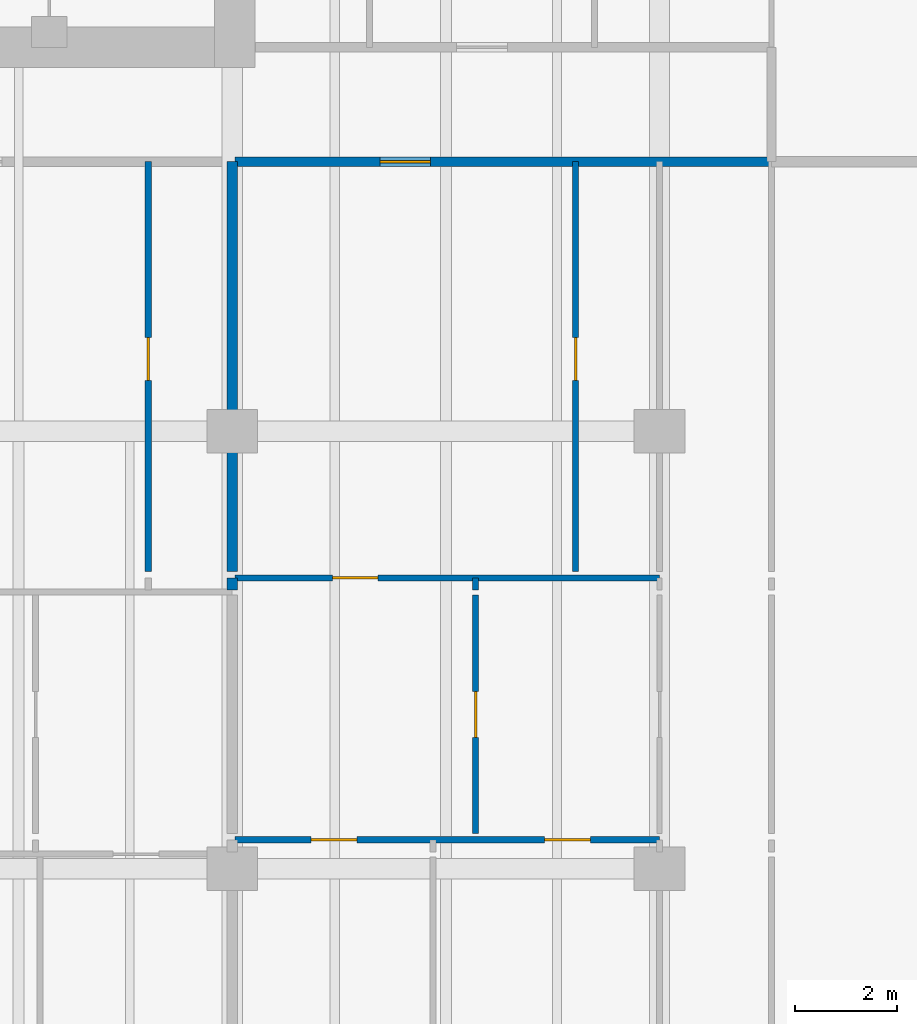
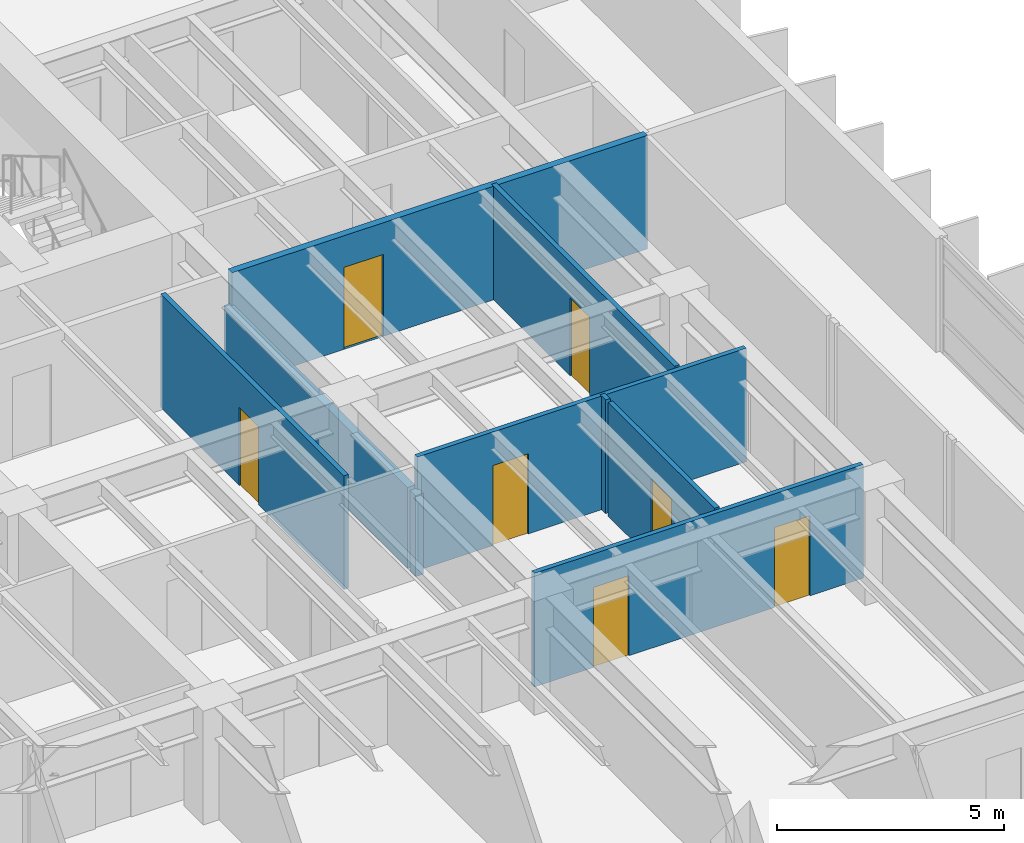
# One storey, part 10 of 18: 9 walls, 7 doors, 7 openings.
"""IFC4 building model written with IfcOpenShell, lengths in metres."""

from ifc_helpers import new_model, si_unit, direction, frame, frame_2d, origin, place, context, subcontext, project, spatial, rectangle, extrude, material, layer, layer_set, type_object, element, fill, save


model = new_model("IFC4")

# Units and contexts
model_context = context("Model", 3, precision=1e-05, world=origin(), true_north=direction((0.0, 1.0)))
body_context = subcontext(model_context, "Body", "Model", "MODEL_VIEW")
ifc_project = project(units=[si_unit("LENGTHUNIT", "METRE"), si_unit("AREAUNIT", "SQUARE_METRE"), si_unit("VOLUMEUNIT", "CUBIC_METRE"), si_unit("PLANEANGLEUNIT", "RADIAN"), si_unit("MASSUNIT", "GRAM", prefix="KILO")], contexts=[model_context])

# Site, building, storey
site_placement = place(None, origin())
site = spatial("IfcSite", under=ifc_project, at=site_placement, CompositionType="ELEMENT")
building_placement = place(site_placement, origin())
building = spatial("IfcBuilding", under=site, at=building_placement, Name="Caelmar Bay Residences", CompositionType="ELEMENT")
storey_placement = place(building_placement, frame((0.0, 0.0, 122.39990234375)))
storey = spatial("IfcBuildingStorey", under=building, at=storey_placement, Name="L33", CompositionType="ELEMENT", Elevation=122.39990234375)

# Wall, opening, door
ifc_material_1 = material(Name="Double-stud acoustic fire-rated gypsum partition 180 mm")
ifc_layer_1 = layer(ifc_material_1, 0.179931640625)
ifc_layer_set_1 = layer_set([ifc_layer_1], Name="Double-stud acoustic fire-rated gypsum partition 180 mm")
wall_type_1 = type_object("IfcWallType", Name="W-COR-200", PredefinedType="PARTITIONING", material=ifc_layer_set_1)
wall_1_placement = place(storey_placement, frame((59.550048828125, 34.699951171875, 0.0), z_axis=(0.0, 0.0, 1.0), x_axis=(1.0, 0.0, 0.0)))
wall_1 = element("IfcWall", 1, at=wall_1_placement, inside=storey, type_object=wall_type_1, Name="L33 Partition Wall H144", PredefinedType="PARTITIONING", context=body_context, shape_type="SweptSolid", body=[
    extrude(rectangle(XDim=10.550048828125, YDim=0.179931640625, at=frame_2d((5.27490234375, 0.0))), origin(), (0.0, 0.0, 1.0), 3.050048828125),
])
opening_1_placement = place(wall_1_placement, frame((2.85009765625, 0.0, 0.0)))
opening_1 = element("IfcOpeningElement", 2, at=opening_1_placement, cuts=wall_1, Name="Opening D-L33-164", PredefinedType="OPENING", context=body_context, shape_type="SweptSolid", body=[
    extrude(rectangle(XDim=1.0, YDim=2.199951171875, at=frame_2d((0.5, 1.10009765625))), frame((0.0, 0.099853515625, 0.0), z_axis=(0.0, -1.0, 0.0), x_axis=(1.0, 0.0, 0.0)), (0.0, 0.0, 1.0), 0.199951171875),
])
ifc_material_2 = material(Name="Fire-rated steel and walnut architectural door assembly", Category="steel")
ifc_layer_2 = layer(ifc_material_2, 0.050048828125)
ifc_layer_set_2 = layer_set([ifc_layer_2], Name="Fire-rated steel and walnut architectural door assembly")
door_type_1 = type_object("IfcDoorType", Name="D-UNIT-1000", OperationType="NOTDEFINED", PredefinedType="DOOR", material=ifc_layer_set_2)
door_1_placement = place(opening_1_placement, origin())
door_1 = element("IfcDoor", 3, at=door_1_placement, inside=storey, type_object=door_type_1, Name="L33 Residence 07 Apartment Hall Door", OperationType="SINGLE_SWING_RIGHT", OverallHeight=2.199951171875, OverallWidth=1.0, PredefinedType="DOOR", context=body_context, shape_type="SweptSolid", body=[
    extrude(rectangle(XDim=1.0, YDim=2.199951171875, at=frame_2d((0.5, 1.10009765625))), frame((0.0, 0.02490234375, 0.0), z_axis=(0.0, -1.0, 0.0), x_axis=(1.0, 0.0, 0.0)), (0.0, 0.0, 1.0), 0.050048828125),
])
fill(opening_1, door_1)

ifc_material_3 = material(Name="Acoustic metal-stud gypsum partition 120 mm")
ifc_layer_3 = layer(ifc_material_3, 0.1201171875)
ifc_layer_set_3 = layer_set([ifc_layer_3], Name="Acoustic metal-stud gypsum partition 120 mm")
wall_type_2 = type_object("IfcWallType", Name="W-PRT-120", PredefinedType="PARTITIONING", material=ifc_layer_set_3)
wall_2_placement = place(storey_placement, frame((57.85009765625, 26.639892578125, 0.0), z_axis=(0.0, 0.0, 1.0), x_axis=(0.0, 1.0, 0.0)))
wall_2 = element("IfcWall", 4, at=wall_2_placement, inside=storey, type_object=wall_type_2, Name="L33 Partition Wall V092", PredefinedType="PARTITIONING", context=body_context, shape_type="SweptSolid", body=[
    extrude(rectangle(XDim=8.06005859375, YDim=0.1201171875, at=frame_2d((4.030029296875, 0.0))), origin(), (0.0, 0.0, 1.0), 3.050048828125),
])
opening_2_placement = place(wall_2_placement, frame((3.7548828125, 0.0, 0.0)))
opening_2 = element("IfcOpeningElement", 5, at=opening_2_placement, cuts=wall_2, Name="Opening D-L33-158", PredefinedType="OPENING", context=body_context, shape_type="SweptSolid", body=[
    extrude(rectangle(XDim=0.85009765625, YDim=2.10009765625, at=frame_2d((0.425048828125, 1.050048828125))), frame((0.0, 0.070068359375, 0.0), z_axis=(0.0, -1.0, 0.0), x_axis=(1.0, 0.0, 0.0)), (0.0, 0.0, 1.0), 0.14013671875),
])
ifc_material_4 = material(Name="Solid walnut timber interior door leaf and frame", Category="wood")
ifc_layer_4 = layer(ifc_material_4, 0.050048828125)
ifc_layer_set_4 = layer_set([ifc_layer_4], Name="Solid walnut timber interior door leaf and frame")
door_type_2 = type_object("IfcDoorType", Name="D-BATH-850", OperationType="NOTDEFINED", PredefinedType="DOOR", material=ifc_layer_set_4)
door_2_placement = place(opening_2_placement, origin())
door_2 = element("IfcDoor", 6, at=door_2_placement, inside=storey, type_object=door_type_2, Name="L33 Residence 06 Bathroom Door", OperationType="SINGLE_SWING_RIGHT", OverallHeight=2.10009765625, OverallWidth=0.85009765625, PredefinedType="DOOR", context=body_context, shape_type="SweptSolid", body=[
    extrude(rectangle(XDim=0.85009765625, YDim=2.10009765625, at=frame_2d((0.425048828125, 1.050048828125))), frame((0.0, 0.02490234375, 0.0), z_axis=(0.0, -1.0, 0.0), x_axis=(1.0, 0.0, 0.0)), (0.0, 0.0, 1.0), 0.050048828125),
])
fill(opening_2, door_2)

wall_3_placement = place(storey_placement, frame((64.285888671875, 21.489990234375, 0.0), z_axis=(0.0, 0.0, 1.0), x_axis=(0.0, 1.0, 0.0)))
wall_3 = element("IfcWall", 7, at=wall_3_placement, inside=storey, type_object=wall_type_2, Name="L33 Partition Wall V103", PredefinedType="PARTITIONING", context=body_context, shape_type="SweptSolid", body=[
    extrude(rectangle(XDim=4.68994140625, YDim=0.1201171875, at=frame_2d((2.344970703125, 0.0))), origin(), (0.0, 0.0, 1.0), 3.050048828125),
])
opening_3_placement = place(wall_3_placement, frame((1.89501953125, 0.0, 0.0)))
opening_3 = element("IfcOpeningElement", 8, at=opening_3_placement, cuts=wall_3, Name="Opening D-L33-167", PredefinedType="OPENING", context=body_context, shape_type="SweptSolid", body=[
    extrude(rectangle(XDim=0.89990234375, YDim=2.14990234375, at=frame_2d((0.449951171875, 1.074951171875))), frame((0.0, 0.070068359375, 0.0), z_axis=(0.0, -1.0, 0.0), x_axis=(1.0, 0.0, 0.0)), (0.0, 0.0, 1.0), 0.14013671875),
])
ifc_layer_5 = layer(ifc_material_4, 0.050048828125)
ifc_layer_set_5 = layer_set([ifc_layer_5], Name="Solid walnut timber interior door leaf and frame")
door_type_3 = type_object("IfcDoorType", Name="D-ROOM-900", OperationType="NOTDEFINED", PredefinedType="DOOR", material=ifc_layer_set_5)
door_3_placement = place(opening_3_placement, origin())
door_3 = element("IfcDoor", 9, at=door_3_placement, inside=storey, type_object=door_type_3, Name="L33 Residence 07 Study Door", OperationType="SINGLE_SWING_LEFT", OverallHeight=2.14990234375, OverallWidth=0.89990234375, PredefinedType="DOOR", context=body_context, shape_type="SweptSolid", body=[
    extrude(rectangle(XDim=0.89990234375, YDim=2.14990234375, at=frame_2d((0.449951171875, 1.074951171875))), frame((0.0, 0.02490234375, 0.0), z_axis=(0.0, -1.0, 0.0), x_axis=(1.0, 0.0, 0.0)), (0.0, 0.0, 1.0), 0.050048828125),
])
fill(opening_3, door_3)

# Wall
wall_4_placement = place(storey_placement, frame((64.285888671875, 26.280029296875, 0.0), z_axis=(0.0, 0.0, 1.0), x_axis=(0.0, 1.0, 0.0)))
element("IfcWall", 10, at=wall_4_placement, inside=storey, type_object=wall_type_2, Name="L33 Partition Wall V104", PredefinedType="PARTITIONING", context=body_context, shape_type="SweptSolid", body=[
    extrude(rectangle(XDim=0.239990234375, YDim=0.1201171875, at=frame_2d((0.1201171875, 0.0))), origin(), (0.0, 0.0, 1.0), 3.050048828125),
])

# Wall, opening, door
wall_5_placement = place(storey_placement, frame((66.25, 26.639892578125, 0.0), z_axis=(0.0, 0.0, 1.0), x_axis=(0.0, 1.0, 0.0)))
wall_5 = element("IfcWall", 11, at=wall_5_placement, inside=storey, type_object=wall_type_2, Name="L33 Partition Wall V105", PredefinedType="PARTITIONING", context=body_context, shape_type="SweptSolid", body=[
    extrude(rectangle(XDim=8.06005859375, YDim=0.1201171875, at=frame_2d((4.030029296875, 0.0))), origin(), (0.0, 0.0, 1.0), 3.050048828125),
])
opening_4_placement = place(wall_5_placement, frame((3.7548828125, 0.0, 0.0)))
opening_4 = element("IfcOpeningElement", 12, at=opening_4_placement, cuts=wall_5, Name="Opening D-L33-165", PredefinedType="OPENING", context=body_context, shape_type="SweptSolid", body=[
    extrude(rectangle(XDim=0.85009765625, YDim=2.10009765625, at=frame_2d((0.425048828125, 1.050048828125))), frame((0.0, 0.070068359375, 0.0), z_axis=(0.0, -1.0, 0.0), x_axis=(1.0, 0.0, 0.0)), (0.0, 0.0, 1.0), 0.14013671875),
])
door_4_placement = place(opening_4_placement, origin())
door_4 = element("IfcDoor", 13, at=door_4_placement, inside=storey, type_object=door_type_2, Name="L33 Residence 07 Bathroom Door", OperationType="SINGLE_SWING_LEFT", OverallHeight=2.10009765625, OverallWidth=0.85009765625, PredefinedType="DOOR", context=body_context, shape_type="SweptSolid", body=[
    extrude(rectangle(XDim=0.85009765625, YDim=2.10009765625, at=frame_2d((0.425048828125, 1.050048828125))), frame((0.0, 0.02490234375, 0.0), z_axis=(0.0, -1.0, 0.0), x_axis=(1.0, 0.0, 0.0)), (0.0, 0.0, 1.0), 0.050048828125),
])
fill(opening_4, door_4)

# Wall, openings, doors
wall_6_placement = place(storey_placement, frame((59.550048828125, 21.3701171875, 0.0), z_axis=(0.0, 0.0, 1.0), x_axis=(1.0, 0.0, 0.0)))
wall_6 = element("IfcWall", 14, at=wall_6_placement, inside=storey, type_object=wall_type_2, Name="L33 Partition Wall H131", PredefinedType="PARTITIONING", context=body_context, shape_type="SweptSolid", body=[
    extrude(rectangle(XDim=8.349853515625, YDim=0.1201171875, at=frame_2d((4.1748046875, 0.0))), origin(), (0.0, 0.0, 1.0), 3.050048828125),
])
opening_5_placement = place(wall_6_placement, frame((1.4990234375, 0.0, 0.0)))
opening_5 = element("IfcOpeningElement", 15, at=opening_5_placement, cuts=wall_6, Name="Opening D-L33-168", PredefinedType="OPENING", context=body_context, shape_type="SweptSolid", body=[
    extrude(rectangle(XDim=0.89990234375, YDim=2.14990234375, at=frame_2d((0.449951171875, 1.074951171875))), frame((0.0, 0.070068359375, 0.0), z_axis=(0.0, -1.0, 0.0), x_axis=(1.0, 0.0, 0.0)), (0.0, 0.0, 1.0), 0.14013671875),
])
opening_6_placement = place(wall_6_placement, frame((6.093017578125, 0.0, 0.0)))
opening_6 = element("IfcOpeningElement", 16, at=opening_6_placement, cuts=wall_6, Name="Opening D-L33-169", PredefinedType="OPENING", context=body_context, shape_type="SweptSolid", body=[
    extrude(rectangle(XDim=0.89990234375, YDim=2.14990234375, at=frame_2d((0.449951171875, 1.074951171875))), frame((0.0, 0.070068359375, 0.0), z_axis=(0.0, -1.0, 0.0), x_axis=(1.0, 0.0, 0.0)), (0.0, 0.0, 1.0), 0.14013671875),
])
door_5_placement = place(opening_5_placement, origin())
door_5 = element("IfcDoor", 17, at=door_5_placement, inside=storey, type_object=door_type_3, Name="L33 Residence 07 Living Room Door", OperationType="SINGLE_SWING_RIGHT", OverallHeight=2.14990234375, OverallWidth=0.89990234375, PredefinedType="DOOR", context=body_context, shape_type="SweptSolid", body=[
    extrude(rectangle(XDim=0.89990234375, YDim=2.14990234375, at=frame_2d((0.449951171875, 1.074951171875))), frame((0.0, 0.02490234375, 0.0), z_axis=(0.0, -1.0, 0.0), x_axis=(1.0, 0.0, 0.0)), (0.0, 0.0, 1.0), 0.050048828125),
])
fill(opening_5, door_5)
door_6_placement = place(opening_6_placement, origin())
door_6 = element("IfcDoor", 18, at=door_6_placement, inside=storey, type_object=door_type_3, Name="L33 Residence 07 Penthouse Sitting Room Door", OperationType="SINGLE_SWING_LEFT", OverallHeight=2.14990234375, OverallWidth=0.89990234375, PredefinedType="DOOR", context=body_context, shape_type="SweptSolid", body=[
    extrude(rectangle(XDim=0.89990234375, YDim=2.14990234375, at=frame_2d((0.449951171875, 1.074951171875))), frame((0.0, 0.02490234375, 0.0), z_axis=(0.0, -1.0, 0.0), x_axis=(1.0, 0.0, 0.0)), (0.0, 0.0, 1.0), 0.050048828125),
])
fill(opening_6, door_6)

# Wall, opening, door
wall_7_placement = place(storey_placement, frame((59.550048828125, 26.52001953125, 0.0), z_axis=(0.0, 0.0, 1.0), x_axis=(1.0, 0.0, 0.0)))
wall_7 = element("IfcWall", 19, at=wall_7_placement, inside=storey, type_object=wall_type_2, Name="L33 Partition Wall H138", PredefinedType="PARTITIONING", context=body_context, shape_type="SweptSolid", body=[
    extrude(rectangle(XDim=8.349853515625, YDim=0.1201171875, at=frame_2d((4.1748046875, 0.0))), origin(), (0.0, 0.0, 1.0), 3.050048828125),
])
opening_7_placement = place(wall_7_placement, frame((1.91796875, 0.0, 0.0)))
opening_7 = element("IfcOpeningElement", 20, at=opening_7_placement, cuts=wall_7, Name="Opening D-L33-166", PredefinedType="OPENING", context=body_context, shape_type="SweptSolid", body=[
    extrude(rectangle(XDim=0.89990234375, YDim=2.14990234375, at=frame_2d((0.449951171875, 1.074951171875))), frame((0.0, 0.070068359375, 0.0), z_axis=(0.0, -1.0, 0.0), x_axis=(1.0, 0.0, 0.0)), (0.0, 0.0, 1.0), 0.14013671875),
])
door_7_placement = place(opening_7_placement, origin())
door_7 = element("IfcDoor", 21, at=door_7_placement, inside=storey, type_object=door_type_3, Name="L33 Residence 07 Kitchen Door", OperationType="SINGLE_SWING_RIGHT", OverallHeight=2.14990234375, OverallWidth=0.89990234375, PredefinedType="DOOR", context=body_context, shape_type="SweptSolid", body=[
    extrude(rectangle(XDim=0.89990234375, YDim=2.14990234375, at=frame_2d((0.449951171875, 1.074951171875))), frame((0.0, 0.02490234375, 0.0), z_axis=(0.0, -1.0, 0.0), x_axis=(1.0, 0.0, 0.0)), (0.0, 0.0, 1.0), 0.050048828125),
])
fill(opening_7, door_7)

# Walls
ifc_material_5 = material(Name="Acoustic twin-stud fire-rated inter-tenancy partition 200 mm")
ifc_layer_6 = layer(ifc_material_5, 0.199951171875)
ifc_layer_set_6 = layer_set([ifc_layer_6], Name="Acoustic twin-stud fire-rated inter-tenancy partition 200 mm")
wall_type_3 = type_object("IfcWallType", Name="W-PTY-200", PredefinedType="PARTITIONING", material=ifc_layer_set_6)
wall_8_placement = place(storey_placement, frame((59.5, 26.280029296875, 0.0), z_axis=(0.0, 0.0, 1.0), x_axis=(0.0, 1.0, 0.0)))
element("IfcWall", 22, at=wall_8_placement, inside=storey, type_object=wall_type_3, Name="L33 Partition Wall V097", PredefinedType="PARTITIONING", context=body_context, shape_type="SweptSolid", body=[
    extrude(rectangle(XDim=0.239990234375, YDim=0.199951171875, at=frame_2d((0.1201171875, 0.0))), origin(), (0.0, 0.0, 1.0), 2.174072265625),
])
wall_9_placement = place(storey_placement, frame((59.5, 26.639892578125, 0.0), z_axis=(0.0, 0.0, 1.0), x_axis=(0.0, 1.0, 0.0)))
element("IfcWall", 23, at=wall_9_placement, inside=storey, type_object=wall_type_3, Name="L33 Partition Wall V098", PredefinedType="PARTITIONING", context=body_context, shape_type="SweptSolid", body=[
    extrude(rectangle(XDim=8.06005859375, YDim=0.199951171875, at=frame_2d((4.030029296875, 0.0))), origin(), (0.0, 0.0, 1.0), 2.174072265625),
])

save(model, "model.ifc")
